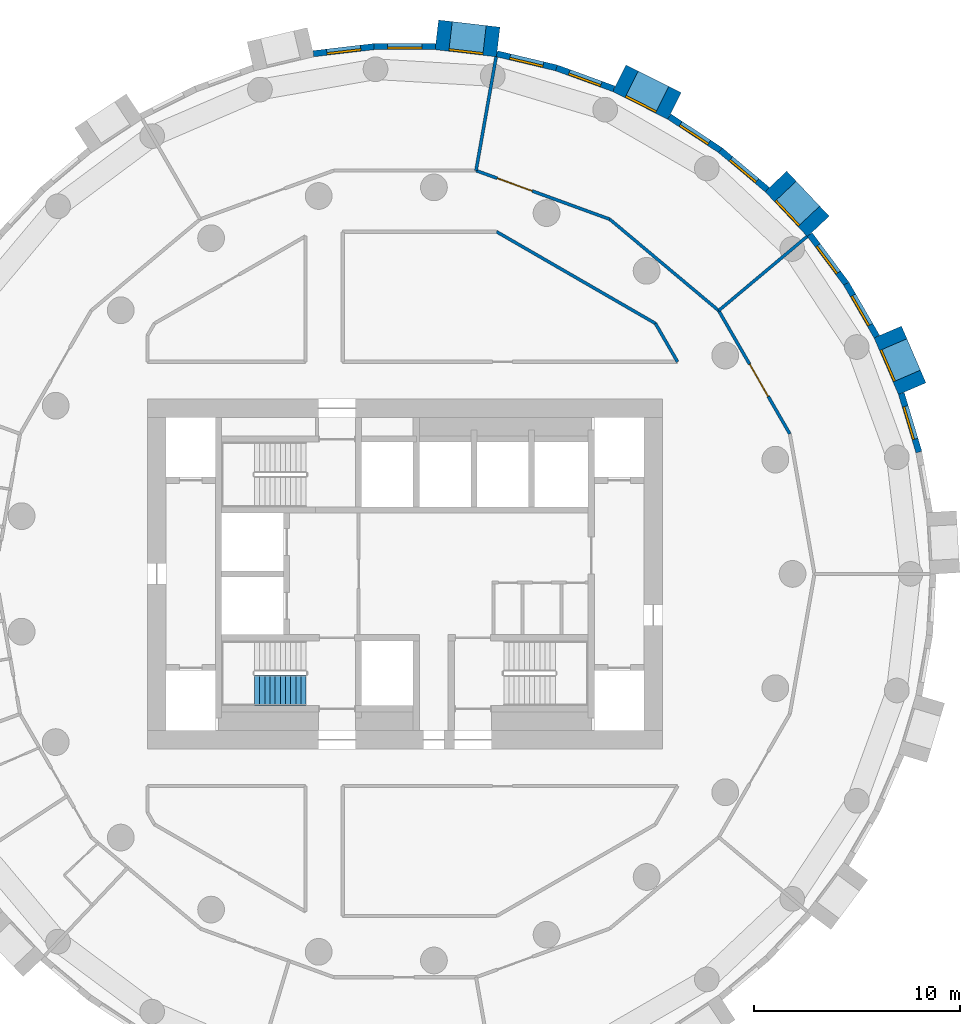
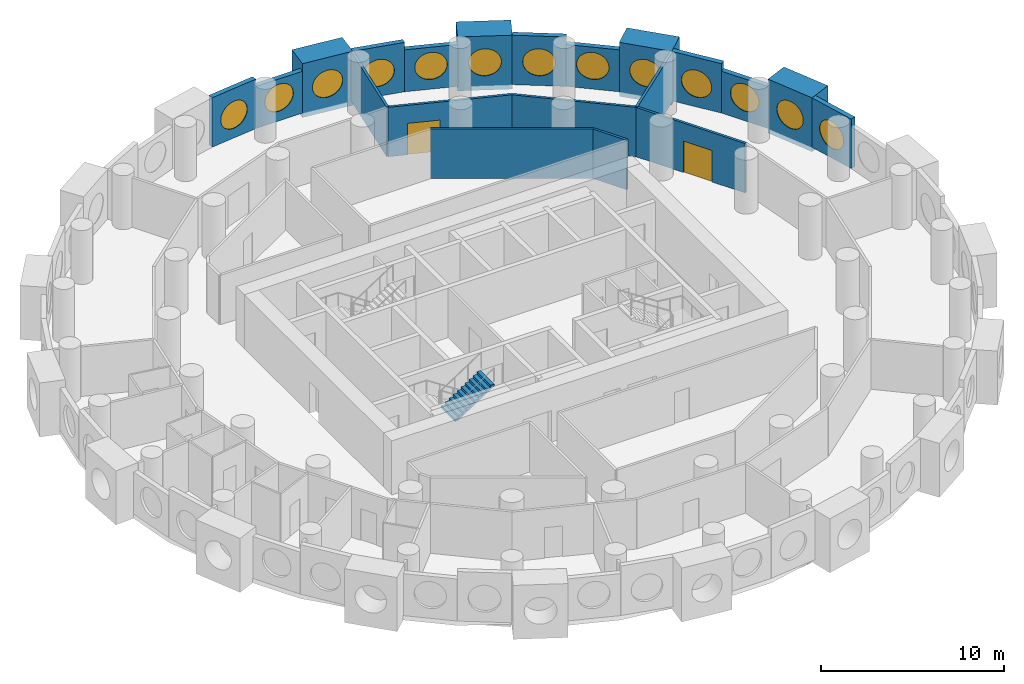
# One storey, part 7 of 9: 20 walls, 13 windows, 2 doors, 1 stair flight, 15 openings, 1 element without a shape of its own.
"""IFC4 building model written with IfcOpenShell, lengths in metres."""

from ifc_helpers import new_model, si_unit, direction, frame, frame_2d, origin, origin_2d, place, context, subcontext, project, spatial, polyline, rectangle, circle, outline, extrude, material, layer, layer_set, type_object, element, fill, aggregate, save


model = new_model("IFC4")

# Units and contexts
model_context = context("Model", 3, precision=1e-05, world=origin(), true_north=direction((0.0, 1.0)))
body_context = subcontext(model_context, "Body", "Model", "MODEL_VIEW")
ifc_project = project(units=[si_unit("LENGTHUNIT", "METRE"), si_unit("AREAUNIT", "SQUARE_METRE"), si_unit("VOLUMEUNIT", "CUBIC_METRE"), si_unit("PLANEANGLEUNIT", "RADIAN"), si_unit("MASSUNIT", "GRAM", prefix="KILO")], contexts=[model_context])

# Site, building, storey
site_placement = place(None, origin())
site = spatial("IfcSite", under=ifc_project, at=site_placement, CompositionType="ELEMENT")
building_placement = place(site_placement, origin())
building = spatial("IfcBuilding", under=site, at=building_placement, Name="Tracery Tower", CompositionType="ELEMENT")
storey_placement = place(building_placement, frame((0.0, 0.0, 208.800048828125)))
storey = spatial("IfcBuildingStorey", under=building, at=storey_placement, Name="L54", CompositionType="ELEMENT", Elevation=208.800048828125)

# Wall, opening, window
ifc_material_1 = material(Name="Precast concrete C50/60", Category="concrete")
ifc_layer_1 = layer(ifc_material_1, 1.449951171875)
ifc_layer_set_1 = layer_set([ifc_layer_1], Name="Deep-set bay unit 3000 x 3600, slab edge 300")
wall_type_1 = type_object("IfcWallType", Name="Deep-set bay unit 3000 x 3600, slab edge 300", PredefinedType="ELEMENTEDWALL", material=ifc_layer_set_1)
wall_1_placement = place(storey_placement, frame((24.632080078125, 8.99169921875, -0.300048828125), z_axis=(0.0, 0.0, 1.0), x_axis=(-0.396079003245, 0.918216435917, 0.0)))
wall_1 = element("IfcWall", 1, at=wall_1_placement, inside=storey, type_object=wall_type_1, Name="Deep-set bay unit 4 at L54", PredefinedType="ELEMENTEDWALL", context=body_context, shape_type="SweptSolid", body=[
    extrude(rectangle(XDim=3.0, YDim=1.449951171875, at=frame_2d((1.5, 0.0))), origin(), (0.0, 0.0, 1.0), 3.60009765625),
])
opening_1_placement = place(wall_1_placement, frame((1.5, 0.0, 1.85009765625)))
opening_1 = element("IfcOpeningElement", 2, at=opening_1_placement, cuts=wall_1, Name="Opening WN1", PredefinedType="OPENING", context=body_context, shape_type="SweptSolid", body=[
    extrude(circle(Radius=0.9000244140625, at=origin_2d()), frame((0.0, 0.73486328125, 0.0), z_axis=(0.0, -1.0, 0.0), x_axis=(1.0, 0.0, 0.0)), (0.0, 0.0, 1.0), 1.469970703125),
])
ifc_material_2 = material(Name="Aluminium frame with tinted double glazing", Category="aluminium")
window_type = type_object("IfcWindowType", Name="Round window 1800", PartitioningType="SINGLE_PANEL", PredefinedType="WINDOW", material=ifc_material_2)
window_1_placement = place(opening_1_placement, origin())
window_1 = element("IfcWindow", 3, at=window_1_placement, inside=storey, type_object=window_type, Name="Round window 4 at L54", OverallHeight=1.800048828125, OverallWidth=1.800048828125, PartitioningType="SINGLE_PANEL", PredefinedType="WINDOW", context=body_context, shape_type="SweptSolid", body=[
    extrude(circle(Radius=0.9000244140625, at=origin_2d()), frame((0.0, 0.69482421875, 0.0), z_axis=(0.0, -1.0, 0.0), x_axis=(1.0, 0.0, 0.0)), (0.0, 0.0, 1.0), 0.10009765625),
])
fill(opening_1, window_1)

wall_2_placement = place(storey_placement, frame((20.0712890625, 16.8740234375, -0.300048828125), z_axis=(0.0, 0.0, 1.0), x_axis=(-0.686217177108, 0.727396718334, 0.0)))
wall_2 = element("IfcWall", 4, at=wall_2_placement, inside=storey, type_object=wall_type_1, Name="Deep-set bay unit 7 at L54", PredefinedType="ELEMENTEDWALL", context=body_context, shape_type="SweptSolid", body=[
    extrude(rectangle(XDim=3.0, YDim=1.449951171875, at=frame_2d((1.5, 0.0))), origin(), (0.0, 0.0, 1.0), 3.60009765625),
])
opening_2_placement = place(wall_2_placement, frame((1.5, 0.0, 1.85009765625)))
opening_2 = element("IfcOpeningElement", 5, at=opening_2_placement, cuts=wall_2, Name="Opening WN1", PredefinedType="OPENING", context=body_context, shape_type="SweptSolid", body=[
    extrude(circle(Radius=0.9000244140625, at=origin_2d()), frame((0.0, 0.73486328125, 0.0), z_axis=(0.0, -1.0, 0.0), x_axis=(1.0, 0.0, 0.0)), (0.0, 0.0, 1.0), 1.469970703125),
])
window_2_placement = place(opening_2_placement, origin())
window_2 = element("IfcWindow", 6, at=window_2_placement, inside=storey, type_object=window_type, Name="Round window 7 at L54", OverallHeight=1.800048828125, OverallWidth=1.800048828125, PartitioningType="SINGLE_PANEL", PredefinedType="WINDOW", context=body_context, shape_type="SweptSolid", body=[
    extrude(circle(Radius=0.9000244140625, at=origin_2d()), frame((0.0, 0.69482421875, 0.0), z_axis=(0.0, -1.0, 0.0), x_axis=(1.0, 0.0, 0.0)), (0.0, 0.0, 1.0), 0.10009765625),
])
fill(opening_2, window_2)

wall_3_placement = place(storey_placement, frame((13.089599609375, 22.72119140625, -0.300048828125), z_axis=(0.0, 0.0, 1.0), x_axis=(-0.893628249713, 0.448807922518, 0.0)))
wall_3 = element("IfcWall", 7, at=wall_3_placement, inside=storey, type_object=wall_type_1, Name="Deep-set bay unit 10 at L54", PredefinedType="ELEMENTEDWALL", context=body_context, shape_type="SweptSolid", body=[
    extrude(rectangle(XDim=3.0, YDim=1.449951171875, at=frame_2d((1.5, 0.0))), origin(), (0.0, 0.0, 1.0), 3.60009765625),
])
opening_3_placement = place(wall_3_placement, frame((1.5, 0.0, 1.85009765625)))
opening_3 = element("IfcOpeningElement", 8, at=opening_3_placement, cuts=wall_3, Name="Opening WN1", PredefinedType="OPENING", context=body_context, shape_type="SweptSolid", body=[
    extrude(circle(Radius=0.9000244140625, at=origin_2d()), frame((0.0, 0.73486328125, 0.0), z_axis=(0.0, -1.0, 0.0), x_axis=(1.0, 0.0, 0.0)), (0.0, 0.0, 1.0), 1.469970703125),
])
window_3_placement = place(opening_3_placement, origin())
window_3 = element("IfcWindow", 9, at=window_3_placement, inside=storey, type_object=window_type, Name="Round window 10 at L54", OverallHeight=1.800048828125, OverallWidth=1.800048828125, PartitioningType="SINGLE_PANEL", PredefinedType="WINDOW", context=body_context, shape_type="SweptSolid", body=[
    extrude(circle(Radius=0.9000244140625, at=origin_2d()), frame((0.0, 0.69482421875, 0.0), z_axis=(0.0, -1.0, 0.0), x_axis=(1.0, 0.0, 0.0)), (0.0, 0.0, 1.0), 0.10009765625),
])
fill(opening_3, window_3)

wall_4_placement = place(storey_placement, frame((4.529052734375, 25.827880859375, -0.300048828125), z_axis=(0.0, 0.0, 1.0), x_axis=(-0.9932342274, 0.116128246006, 0.0)))
wall_4 = element("IfcWall", 10, at=wall_4_placement, inside=storey, type_object=wall_type_1, Name="Deep-set bay unit 13 at L54", PredefinedType="ELEMENTEDWALL", context=body_context, shape_type="SweptSolid", body=[
    extrude(rectangle(XDim=3.0, YDim=1.449951171875, at=frame_2d((1.5, 0.0))), origin(), (0.0, 0.0, 1.0), 3.60009765625),
])
opening_4_placement = place(wall_4_placement, frame((1.5, 0.0, 1.85009765625)))
opening_4 = element("IfcOpeningElement", 11, at=opening_4_placement, cuts=wall_4, Name="Opening WN1", PredefinedType="OPENING", context=body_context, shape_type="SweptSolid", body=[
    extrude(circle(Radius=0.9000244140625, at=origin_2d()), frame((0.0, 0.73486328125, 0.0), z_axis=(0.0, -1.0, 0.0), x_axis=(1.0, 0.0, 0.0)), (0.0, 0.0, 1.0), 1.469970703125),
])
window_4_placement = place(opening_4_placement, origin())
window_4 = element("IfcWindow", 12, at=window_4_placement, inside=storey, type_object=window_type, Name="Round window 13 at L54", OverallHeight=1.800048828125, OverallWidth=1.800048828125, PartitioningType="SINGLE_PANEL", PredefinedType="WINDOW", context=body_context, shape_type="SweptSolid", body=[
    extrude(circle(Radius=0.9000244140625, at=origin_2d()), frame((0.0, 0.69482421875, 0.0), z_axis=(0.0, -1.0, 0.0), x_axis=(1.0, 0.0, 0.0)), (0.0, 0.0, 1.0), 0.10009765625),
])
fill(opening_4, window_4)

ifc_material_3 = material(Name="Precast concrete C50/60", Category="concrete")
ifc_layer_2 = layer(ifc_material_3, 0.300048828125)
ifc_layer_set_2 = layer_set([ifc_layer_2], Name="Facade panel 3000 x 2800")
wall_type_2 = type_object("IfcWallType", Name="Facade panel 3000 x 2800", PredefinedType="SOLIDWALL", material=ifc_layer_set_2)
wall_5_placement = place(storey_placement, frame((22.91455078125, 11.518798828125, 0.0), z_axis=(0.0, 0.0, 1.0), x_axis=(-0.499954672104, 0.866051572276, 0.0)))
wall_5 = element("IfcWall", 13, at=wall_5_placement, inside=storey, type_object=wall_type_2, Name="Facade panel 5 at L54", PredefinedType="SOLIDWALL", context=body_context, shape_type="SweptSolid", body=[
    extrude(rectangle(XDim=2.972900390625, YDim=0.300048828125, at=frame_2d((1.486328125, 0.0))), origin(), (0.0, 0.0, 1.0), 2.800048828125),
])
opening_5_placement = place(wall_5_placement, frame((1.486328125, 0.0, 1.5498046875)))
opening_5 = element("IfcOpeningElement", 14, at=opening_5_placement, cuts=wall_5, Name="Opening WN1", PredefinedType="OPENING", context=body_context, shape_type="SweptSolid", body=[
    extrude(circle(Radius=0.9000244140625, at=origin_2d()), frame((0.0, 0.159912109375, 0.0), z_axis=(0.0, -1.0, 0.0), x_axis=(1.0, 0.0, 0.0)), (0.0, 0.0, 1.0), 0.320068359375),
])
window_5_placement = place(opening_5_placement, origin())
window_5 = element("IfcWindow", 15, at=window_5_placement, inside=storey, type_object=window_type, Name="Round window 5 at L54", OverallHeight=1.800048828125, OverallWidth=1.800048828125, PartitioningType="SINGLE_PANEL", PredefinedType="WINDOW", context=body_context, shape_type="SweptSolid", body=[
    extrude(circle(Radius=0.9000244140625, at=origin_2d()), frame((0.0, 0.1201171875, 0.0), z_axis=(0.0, -1.0, 0.0), x_axis=(1.0, 0.0, 0.0)), (0.0, 0.0, 1.0), 0.10009765625),
])
fill(opening_5, window_5)

wall_6_placement = place(storey_placement, frame((17.593017578125, 18.661376953125, 0.0), z_axis=(0.0, 0.0, 1.0), x_axis=(-0.766008913364, 0.642829950023, 0.0)))
wall_6 = element("IfcWall", 16, at=wall_6_placement, inside=storey, type_object=wall_type_2, Name="Facade panel 8 at L54", PredefinedType="SOLIDWALL", context=body_context, shape_type="SweptSolid", body=[
    extrude(rectangle(XDim=2.972900390625, YDim=0.300048828125, at=frame_2d((1.486328125, 0.0))), origin(), (0.0, 0.0, 1.0), 2.800048828125),
])
opening_6_placement = place(wall_6_placement, frame((1.486328125, 0.0, 1.5498046875)))
opening_6 = element("IfcOpeningElement", 17, at=opening_6_placement, cuts=wall_6, Name="Opening WN1", PredefinedType="OPENING", context=body_context, shape_type="SweptSolid", body=[
    extrude(circle(Radius=0.9000244140625, at=origin_2d()), frame((0.0, 0.159912109375, 0.0), z_axis=(0.0, -1.0, 0.0), x_axis=(1.0, 0.0, 0.0)), (0.0, 0.0, 1.0), 0.320068359375),
])
window_6_placement = place(opening_6_placement, origin())
window_6 = element("IfcWindow", 18, at=window_6_placement, inside=storey, type_object=window_type, Name="Round window 8 at L54", OverallHeight=1.800048828125, OverallWidth=1.800048828125, PartitioningType="SINGLE_PANEL", PredefinedType="WINDOW", context=body_context, shape_type="SweptSolid", body=[
    extrude(circle(Radius=0.9000244140625, at=origin_2d()), frame((0.0, 0.1201171875, 0.0), z_axis=(0.0, -1.0, 0.0), x_axis=(1.0, 0.0, 0.0)), (0.0, 0.0, 1.0), 0.10009765625),
])
fill(opening_6, window_6)

wall_7_placement = place(storey_placement, frame((10.1494140625, 23.55322265625, 0.0), z_axis=(0.0, 0.0, 1.0), x_axis=(-0.939690282133, 0.342026568652, 0.0)))
wall_7 = element("IfcWall", 19, at=wall_7_placement, inside=storey, type_object=wall_type_2, Name="Facade panel 11 at L54", PredefinedType="SOLIDWALL", context=body_context, shape_type="SweptSolid", body=[
    extrude(rectangle(XDim=2.972900390625, YDim=0.300048828125, at=frame_2d((1.486328125, 0.0))), origin(), (0.0, 0.0, 1.0), 2.800048828125),
])
opening_7_placement = place(wall_7_placement, frame((1.486328125, 0.0, 1.5498046875)))
opening_7 = element("IfcOpeningElement", 20, at=opening_7_placement, cuts=wall_7, Name="Opening WN1", PredefinedType="OPENING", context=body_context, shape_type="SweptSolid", body=[
    extrude(circle(Radius=0.9000244140625, at=origin_2d()), frame((0.0, 0.159912109375, 0.0), z_axis=(0.0, -1.0, 0.0), x_axis=(1.0, 0.0, 0.0)), (0.0, 0.0, 1.0), 0.320068359375),
])
window_7_placement = place(opening_7_placement, origin())
window_7 = element("IfcWindow", 21, at=window_7_placement, inside=storey, type_object=window_type, Name="Round window 11 at L54", OverallHeight=1.800048828125, OverallWidth=1.800048828125, PartitioningType="SINGLE_PANEL", PredefinedType="WINDOW", context=body_context, shape_type="SweptSolid", body=[
    extrude(circle(Radius=0.9000244140625, at=origin_2d()), frame((0.0, 0.1201171875, 0.0), z_axis=(0.0, -1.0, 0.0), x_axis=(1.0, 0.0, 0.0)), (0.0, 0.0, 1.0), 0.10009765625),
])
fill(opening_7, window_7)

wall_8_placement = place(storey_placement, frame((1.481689453125, 25.60400390625, 0.0), z_axis=(0.0, 0.0, 1.0), x_axis=(-1.0, 0.0, 0.0)))
wall_8 = element("IfcWall", 22, at=wall_8_placement, inside=storey, type_object=wall_type_2, Name="Facade panel 14 at L54", PredefinedType="SOLIDWALL", context=body_context, shape_type="SweptSolid", body=[
    extrude(rectangle(XDim=2.972900390625, YDim=0.300048828125, at=frame_2d((1.486328125, 0.0))), origin(), (0.0, 0.0, 1.0), 2.800048828125),
])
opening_8_placement = place(wall_8_placement, frame((1.486328125, 0.0, 1.5498046875)))
opening_8 = element("IfcOpeningElement", 23, at=opening_8_placement, cuts=wall_8, Name="Opening WN1", PredefinedType="OPENING", context=body_context, shape_type="SweptSolid", body=[
    extrude(circle(Radius=0.9000244140625, at=origin_2d()), frame((0.0, 0.159912109375, 0.0), z_axis=(0.0, -1.0, 0.0), x_axis=(1.0, 0.0, 0.0)), (0.0, 0.0, 1.0), 0.320068359375),
])
window_8_placement = place(opening_8_placement, origin())
window_8 = element("IfcWindow", 24, at=window_8_placement, inside=storey, type_object=window_type, Name="Round window 14 at L54", OverallHeight=1.800048828125, OverallWidth=1.800048828125, PartitioningType="SINGLE_PANEL", PredefinedType="WINDOW", context=body_context, shape_type="SweptSolid", body=[
    extrude(circle(Radius=0.9000244140625, at=origin_2d()), frame((0.0, 0.1201171875, 0.0), z_axis=(0.0, -1.0, 0.0), x_axis=(1.0, 0.0, 0.0)), (0.0, 0.0, 1.0), 0.10009765625),
])
fill(opening_8, window_8)

ifc_material_4 = material(Name="Precast concrete C50/60", Category="concrete")
ifc_layer_3 = layer(ifc_material_4, 0.300048828125)
ifc_layer_set_3 = layer_set([ifc_layer_3], Name="Facade panel 3000 x 3300")
wall_type_3 = type_object("IfcWallType", Name="Facade panel 3000 x 3300", PredefinedType="SOLIDWALL", material=ifc_layer_set_3)
wall_9_placement = place(storey_placement, frame((24.9560546875, 5.914794921875, 0.0), z_axis=(0.0, 0.0, 1.0), x_axis=(-0.286782750849, 0.957995643944, 0.0)))
wall_9 = element("IfcWall", 25, at=wall_9_placement, inside=storey, type_object=wall_type_3, Name="Facade panel 3 at L54", PredefinedType="SOLIDWALL", context=body_context, shape_type="SweptSolid", body=[
    extrude(rectangle(XDim=2.97265625, YDim=0.300048828125, at=frame_2d((1.486328125, 0.0))), origin(), (0.0, 0.0, 1.0), 3.300048828125),
])
opening_9_placement = place(wall_9_placement, frame((1.486328125, 0.0, 1.5498046875)))
opening_9 = element("IfcOpeningElement", 26, at=opening_9_placement, cuts=wall_9, Name="Opening WN1", PredefinedType="OPENING", context=body_context, shape_type="SweptSolid", body=[
    extrude(circle(Radius=0.9000244140625, at=origin_2d()), frame((0.0, 0.159912109375, 0.0), z_axis=(0.0, -1.0, 0.0), x_axis=(1.0, 0.0, 0.0)), (0.0, 0.0, 1.0), 0.320068359375),
])
window_9_placement = place(opening_9_placement, origin())
window_9 = element("IfcWindow", 27, at=window_9_placement, inside=storey, type_object=window_type, Name="Round window 3 at L54", OverallHeight=1.800048828125, OverallWidth=1.800048828125, PartitioningType="SINGLE_PANEL", PredefinedType="WINDOW", context=body_context, shape_type="SweptSolid", body=[
    extrude(circle(Radius=0.9000244140625, at=origin_2d()), frame((0.0, 0.1201171875, 0.0), z_axis=(0.0, -1.0, 0.0), x_axis=(1.0, 0.0, 0.0)), (0.0, 0.0, 1.0), 0.10009765625),
])
fill(opening_9, window_9)

wall_10_placement = place(storey_placement, frame((21.42822265625, 14.093505859375, 0.0), z_axis=(0.0, 0.0, 1.0), x_axis=(-0.597197580538, 0.80209416517, 0.0)))
wall_10 = element("IfcWall", 28, at=wall_10_placement, inside=storey, type_object=wall_type_3, Name="Facade panel 6 at L54", PredefinedType="SOLIDWALL", context=body_context, shape_type="SweptSolid", body=[
    extrude(rectangle(XDim=2.972900390625, YDim=0.300048828125, at=frame_2d((1.486328125, 0.0))), origin(), (0.0, 0.0, 1.0), 3.300048828125),
])
opening_10_placement = place(wall_10_placement, frame((1.486328125, 0.0, 1.5498046875)))
opening_10 = element("IfcOpeningElement", 29, at=opening_10_placement, cuts=wall_10, Name="Opening WN1", PredefinedType="OPENING", context=body_context, shape_type="SweptSolid", body=[
    extrude(circle(Radius=0.9000244140625, at=origin_2d()), frame((0.0, 0.159912109375, 0.0), z_axis=(0.0, -1.0, 0.0), x_axis=(1.0, 0.0, 0.0)), (0.0, 0.0, 1.0), 0.320068359375),
])
window_10_placement = place(opening_10_placement, origin())
window_10 = element("IfcWindow", 30, at=window_10_placement, inside=storey, type_object=window_type, Name="Round window 6 at L54", OverallHeight=1.800048828125, OverallWidth=1.800048828125, PartitioningType="SINGLE_PANEL", PredefinedType="WINDOW", context=body_context, shape_type="SweptSolid", body=[
    extrude(circle(Radius=0.9000244140625, at=origin_2d()), frame((0.0, 0.1201171875, 0.0), z_axis=(0.0, -1.0, 0.0), x_axis=(1.0, 0.0, 0.0)), (0.0, 0.0, 1.0), 0.10009765625),
])
fill(opening_10, window_10)

wall_11_placement = place(storey_placement, frame((15.315673828125, 20.572509765625, 0.0), z_axis=(0.0, 0.0, 1.0), x_axis=(-0.835508361394, 0.54947773207, 0.0)))
wall_11 = element("IfcWall", 31, at=wall_11_placement, inside=storey, type_object=wall_type_3, Name="Facade panel 9 at L54", PredefinedType="SOLIDWALL", context=body_context, shape_type="SweptSolid", body=[
    extrude(rectangle(XDim=2.972900390625, YDim=0.300048828125, at=frame_2d((1.486328125, 0.0))), origin(), (0.0, 0.0, 1.0), 3.300048828125),
])
opening_11_placement = place(wall_11_placement, frame((1.486328125, 0.0, 1.5498046875)))
opening_11 = element("IfcOpeningElement", 32, at=opening_11_placement, cuts=wall_11, Name="Opening WN1", PredefinedType="OPENING", context=body_context, shape_type="SweptSolid", body=[
    extrude(circle(Radius=0.9000244140625, at=origin_2d()), frame((0.0, 0.159912109375, 0.0), z_axis=(0.0, -1.0, 0.0), x_axis=(1.0, 0.0, 0.0)), (0.0, 0.0, 1.0), 0.320068359375),
])
window_11_placement = place(opening_11_placement, origin())
window_11 = element("IfcWindow", 33, at=window_11_placement, inside=storey, type_object=window_type, Name="Round window 9 at L54", OverallHeight=1.800048828125, OverallWidth=1.800048828125, PartitioningType="SINGLE_PANEL", PredefinedType="WINDOW", context=body_context, shape_type="SweptSolid", body=[
    extrude(circle(Radius=0.9000244140625, at=origin_2d()), frame((0.0, 0.1201171875, 0.0), z_axis=(0.0, -1.0, 0.0), x_axis=(1.0, 0.0, 0.0)), (0.0, 0.0, 1.0), 0.10009765625),
])
fill(opening_11, window_11)

wall_12_placement = place(storey_placement, frame((7.355712890625, 24.570068359375, 0.0), z_axis=(0.0, 0.0, 1.0), x_axis=(-0.973045378923, 0.230613725862, 0.0)))
wall_12 = element("IfcWall", 34, at=wall_12_placement, inside=storey, type_object=wall_type_3, Name="Facade panel 12 at L54", PredefinedType="SOLIDWALL", context=body_context, shape_type="SweptSolid", body=[
    extrude(rectangle(XDim=2.97265625, YDim=0.300048828125, at=frame_2d((1.486328125, 0.0))), origin(), (0.0, 0.0, 1.0), 3.300048828125),
])
opening_12_placement = place(wall_12_placement, frame((1.486328125, 0.0, 1.5498046875)))
opening_12 = element("IfcOpeningElement", 35, at=opening_12_placement, cuts=wall_12, Name="Opening WN1", PredefinedType="OPENING", context=body_context, shape_type="SweptSolid", body=[
    extrude(circle(Radius=0.9000244140625, at=origin_2d()), frame((0.0, 0.159912109375, 0.0), z_axis=(0.0, -1.0, 0.0), x_axis=(1.0, 0.0, 0.0)), (0.0, 0.0, 1.0), 0.320068359375),
])
window_12_placement = place(opening_12_placement, origin())
window_12 = element("IfcWindow", 36, at=window_12_placement, inside=storey, type_object=window_type, Name="Round window 12 at L54", OverallHeight=1.800048828125, OverallWidth=1.800048828125, PartitioningType="SINGLE_PANEL", PredefinedType="WINDOW", context=body_context, shape_type="SweptSolid", body=[
    extrude(circle(Radius=0.9000244140625, at=origin_2d()), frame((0.0, 0.1201171875, 0.0), z_axis=(0.0, -1.0, 0.0), x_axis=(1.0, 0.0, 0.0)), (0.0, 0.0, 1.0), 0.10009765625),
])
fill(opening_12, window_12)

wall_13_placement = place(storey_placement, frame((-1.4912109375, 25.60400390625, 0.0), z_axis=(0.0, 0.0, 1.0), x_axis=(-0.993245010522, -0.1160359818, 0.0)))
wall_13 = element("IfcWall", 37, at=wall_13_placement, inside=storey, type_object=wall_type_3, Name="Facade panel 15 at L54", PredefinedType="SOLIDWALL", context=body_context, shape_type="SweptSolid", body=[
    extrude(rectangle(XDim=2.972900390625, YDim=0.300048828125, at=frame_2d((1.486328125, 0.0))), origin(), (0.0, 0.0, 1.0), 3.300048828125),
])
opening_13_placement = place(wall_13_placement, frame((1.486328125, 0.0, 1.5498046875)))
opening_13 = element("IfcOpeningElement", 38, at=opening_13_placement, cuts=wall_13, Name="Opening WN1", PredefinedType="OPENING", context=body_context, shape_type="SweptSolid", body=[
    extrude(circle(Radius=0.9000244140625, at=origin_2d()), frame((0.0, 0.159912109375, 0.0), z_axis=(0.0, -1.0, 0.0), x_axis=(1.0, 0.0, 0.0)), (0.0, 0.0, 1.0), 0.320068359375),
])
window_13_placement = place(opening_13_placement, origin())
window_13 = element("IfcWindow", 39, at=window_13_placement, inside=storey, type_object=window_type, Name="Round window 15 at L54", OverallHeight=1.800048828125, OverallWidth=1.800048828125, PartitioningType="SINGLE_PANEL", PredefinedType="WINDOW", context=body_context, shape_type="SweptSolid", body=[
    extrude(circle(Radius=0.9000244140625, at=origin_2d()), frame((0.0, 0.1201171875, 0.0), z_axis=(0.0, -1.0, 0.0), x_axis=(1.0, 0.0, 0.0)), (0.0, 0.0, 1.0), 0.10009765625),
])
fill(opening_13, window_13)

# Walls
ifc_material_5 = material(Name="Plasterboard on steel studs", Category="steel")
ifc_layer_4 = layer(ifc_material_5, 0.14990234375)
ifc_layer_set_4 = layer_set([ifc_layer_4], Name="Partition 150 acoustic unit wall")
wall_type_4 = type_object("IfcWallType", Name="Partition 150 acoustic unit wall", PredefinedType="PARTITIONING", material=ifc_layer_set_4)
wall_14_placement = place(storey_placement, frame((15.235107421875, 12.783935546875, 0.0), z_axis=(0.0, 0.0, 1.0), x_axis=(0.76609059793, 0.642732600514, 0.0)))
element("IfcWall", 40, at=wall_14_placement, inside=storey, type_object=wall_type_4, Name="Unit wall RB8-040", PredefinedType="PARTITIONING", context=body_context, shape_type="SweptSolid", body=[
    extrude(rectangle(XDim=5.60888671875, YDim=0.14990234375, at=frame_2d((2.804443359375, 0.0))), origin(), (0.0, 0.0, 1.0), 3.300048828125),
])
wall_15_placement = place(storey_placement, frame((3.452880859375, 19.5859375, 0.0), z_axis=(0.0, 0.0, 1.0), x_axis=(0.17382754149, 0.984776109489, 0.0)))
element("IfcWall", 41, at=wall_15_placement, inside=storey, type_object=wall_type_4, Name="Unit wall RB8-042", PredefinedType="PARTITIONING", context=body_context, shape_type="SweptSolid", body=[
    extrude(rectangle(XDim=5.609619140625, YDim=0.14990234375, at=frame_2d((2.8046875, 0.0))), origin(), (0.0, 0.0, 1.0), 3.300048828125),
])
ifc_material_6 = material(Name="Plasterboard on steel studs", Category="steel")
ifc_layer_5 = layer(ifc_material_6, 0.14990234375)
ifc_layer_set_5 = layer_set([ifc_layer_5], Name="Partition 150 corridor wall")
wall_type_5 = type_object("IfcWallType", Name="Partition 150 corridor wall", PredefinedType="PARTITIONING", material=ifc_layer_set_5)
wall_16_placement = place(storey_placement, frame((12.162109375, 12.162109375, 0.0), z_axis=(0.0, 0.0, 1.0), x_axis=(0.499961633463, -0.866047553582, 0.0)))
element("IfcWall", 42, at=wall_16_placement, inside=storey, type_object=wall_type_5, Name="Corridor wall RB8-005", PredefinedType="PARTITIONING", context=body_context, shape_type="SweptSolid", body=[
    extrude(rectangle(XDim=2.150146484375, YDim=0.14990234375, at=frame_2d((1.0751953125, 0.0))), origin(), (0.0, 0.0, 1.0), 3.300048828125),
])

# Wall, opening, door
wall_17_placement = place(storey_placement, frame((15.235107421875, 12.783935546875, 0.0), z_axis=(0.0, 0.0, 1.0), x_axis=(0.499914202267, -0.866074933462, 0.0)))
wall_17 = element("IfcWall", 43, at=wall_17_placement, inside=storey, type_object=wall_type_5, Name="Corridor wall RB8-007", PredefinedType="PARTITIONING", context=body_context, shape_type="SweptSolid", body=[
    extrude(rectangle(XDim=6.906982421875, YDim=0.14990234375, at=frame_2d((3.45361328125, 0.0))), origin(), (0.0, 0.0, 1.0), 3.300048828125),
])
opening_14_placement = place(wall_17_placement, frame((3.00390625, 0.0, 0.0)))
opening_14 = element("IfcOpeningElement", 44, at=opening_14_placement, cuts=wall_17, Name="Opening RB8-05", PredefinedType="OPENING", context=body_context, shape_type="SweptSolid", body=[
    extrude(rectangle(XDim=1.800048828125, YDim=2.10009765625, at=frame_2d((0.89990234375, 1.050048828125))), frame((0.0, 0.074951171875, 0.0), z_axis=(0.0, -1.0, 0.0), x_axis=(1.0, 0.0, 0.0)), (0.0, 0.0, 1.0), 0.14990234375),
])
ifc_material_7 = material(Name="Timber door leaf", Category="wood")
door_type = type_object("IfcDoorType", Name="Door double lounge 1800", OperationType="NOTDEFINED", PredefinedType="DOOR", material=ifc_material_7)
door_1_placement = place(opening_14_placement, origin())
door_1 = element("IfcDoor", 45, at=door_1_placement, inside=storey, type_object=door_type, Name="Double lounge door RB8-05", OperationType="DOUBLE_DOOR_SINGLE_SWING", OverallHeight=2.10009765625, OverallWidth=1.800048828125, PredefinedType="DOOR", context=body_context, shape_type="SweptSolid", body=[
    extrude(rectangle(XDim=1.800048828125, YDim=2.10009765625, at=frame_2d((0.89990234375, 1.050048828125))), frame((0.0, 0.02490234375, 0.0), z_axis=(0.0, -1.0, 0.0), x_axis=(1.0, 0.0, 0.0)), (0.0, 0.0, 1.0), 0.050048828125),
])
fill(opening_14, door_1)

# Walls
wall_18_placement = place(storey_placement, frame((9.943359375, 17.22216796875, 0.0), z_axis=(0.0, 0.0, 1.0), x_axis=(0.766192104565, -0.642611592567, 0.0)))
element("IfcWall", 46, at=wall_18_placement, inside=storey, type_object=wall_type_5, Name="Corridor wall RB8-009", PredefinedType="PARTITIONING", context=body_context, shape_type="SweptSolid", body=[
    extrude(rectangle(XDim=6.906494140625, YDim=0.14990234375, at=frame_2d((3.453125, 0.0))), origin(), (0.0, 0.0, 1.0), 3.300048828125),
])
wall_19_placement = place(storey_placement, frame((4.451904296875, 16.614013671875, 0.0), z_axis=(0.0, 0.0, 1.0), x_axis=(0.866005203721, -0.500034985904, 0.0)))
element("IfcWall", 47, at=wall_19_placement, inside=storey, type_object=wall_type_5, Name="Corridor wall RB8-015", PredefinedType="PARTITIONING", context=body_context, shape_type="SweptSolid", body=[
    extrude(rectangle(XDim=8.903076171875, YDim=0.14990234375, at=frame_2d((4.45166015625, 0.0))), origin(), (0.0, 0.0, 1.0), 3.300048828125),
])

# Wall, opening, door
wall_20_placement = place(storey_placement, frame((3.452880859375, 19.5859375, 0.0), z_axis=(0.0, 0.0, 1.0), x_axis=(0.939672634566, -0.342075050021, 0.0)))
wall_20 = element("IfcWall", 48, at=wall_20_placement, inside=storey, type_object=wall_type_5, Name="Corridor wall RB8-018", PredefinedType="PARTITIONING", context=body_context, shape_type="SweptSolid", body=[
    extrude(rectangle(XDim=6.907958984375, YDim=0.14990234375, at=frame_2d((3.4541015625, 0.0))), origin(), (0.0, 0.0, 1.0), 3.300048828125),
])
opening_15_placement = place(wall_20_placement, frame((1.10400390625, 0.0, 0.0)))
opening_15 = element("IfcOpeningElement", 49, at=opening_15_placement, cuts=wall_20, Name="Opening RB8-06", PredefinedType="OPENING", context=body_context, shape_type="SweptSolid", body=[
    extrude(rectangle(XDim=1.800048828125, YDim=2.10009765625, at=frame_2d((0.89990234375, 1.050048828125))), frame((0.0, 0.074951171875, 0.0), z_axis=(0.0, -1.0, 0.0), x_axis=(1.0, 0.0, 0.0)), (0.0, 0.0, 1.0), 0.14990234375),
])
door_2_placement = place(opening_15_placement, origin())
door_2 = element("IfcDoor", 50, at=door_2_placement, inside=storey, type_object=door_type, Name="Double lounge door RB8-06", OperationType="DOUBLE_DOOR_SINGLE_SWING", OverallHeight=2.10009765625, OverallWidth=1.800048828125, PredefinedType="DOOR", context=body_context, shape_type="SweptSolid", body=[
    extrude(rectangle(XDim=1.800048828125, YDim=2.10009765625, at=frame_2d((0.89990234375, 1.050048828125))), frame((0.0, 0.02490234375, 0.0), z_axis=(0.0, -1.0, 0.0), x_axis=(1.0, 0.0, 0.0)), (0.0, 0.0, 1.0), 0.050048828125),
])
fill(opening_15, door_2)

# Stair, stair flight
ifc_material_8 = material(Name="Concrete C32/40", Category="concrete")
stair_type = type_object("IfcStairType", Name="Core stair 22 risers", PredefinedType="HALF_TURN_STAIR", material=ifc_material_8)
stair_placement = place(storey_placement, origin())
stair = element("IfcStair", 51, at=stair_placement, inside=storey, type_object=stair_type, Name="L54 stair ST1", PredefinedType="HALF_TURN_STAIR")
ifc_material_9 = material(Name="Concrete C32/40", Category="concrete")
stair_flight_type = type_object("IfcStairFlightType", Name="Core stair flight 11 risers", PredefinedType="STRAIGHT", material=ifc_material_9)
stair_flight_placement = place(storey_placement, frame((-7.300048828125, -5.64990234375, 1.800048828125), z_axis=(0.0, 0.0, 1.0), x_axis=(1.0, 0.0, 0.0)))
stair_flight = element("IfcStairFlight", 52, at=stair_flight_placement, type_object=stair_flight_type, Name="ST1 flight 2", NumberOfRisers=11, NumberOfTreads=10, PredefinedType="STRAIGHT", RiserHeight=0.163636364, TreadLength=0.25, context=body_context, shape_type="SweptSolid", body=[
    extrude(outline(polyline([(0.0, 0.0), (0.0, 0.002685546875), (0.0, 0.00537109375), (0.0, 0.008056640625), (0.0, 0.0107421875), (0.0, 0.013427734375), (0.0, 0.01611328125), (0.0, 0.018798828125), (0.0, 0.021484375), (0.0, 0.024169921875), (0.0, 0.02685546875), (0.0, 0.029541015625), (0.0, 0.0322265625), (0.0, 0.034912109375), (0.0, 0.03759765625), (0.0, 0.040283203125), (0.0, 0.04296875), (0.0, 0.045654296875), (0.0, 0.04833984375), (0.0, 0.051025390625), (0.0, 0.0537109375), (0.0, 0.056396484375), (0.0, 0.05908203125), (0.0, 0.061767578125), (0.0, 0.064453125), (0.0, 0.067138671875), (0.0, 0.06982421875), (0.0, 0.072509765625), (0.0, 0.0751953125), (0.0, 0.077880859375), (0.0, 0.08056640625), (0.0, 0.083251953125), (0.0, 0.0859375), (0.0, 0.088623046875), (0.0, 0.09130859375), (0.0, 0.093994140625), (0.0, 0.0966796875), (0.0, 0.099365234375), (0.0, 0.10205078125), (0.0, 0.104736328125), (0.0, 0.107421875), (0.0, 0.10986328125), (0.0, 0.112548828125), (0.0, 0.115234375), (0.0, 0.117919921875), (0.0, 0.12060546875), (0.0, 0.123291015625), (0.0, 0.1259765625), (0.0, 0.128662109375), (0.0, 0.13134765625), (0.0, 0.134033203125), (0.0, 0.13671875), (0.0, 0.139404296875), (0.0, 0.14208984375), (0.0, 0.144775390625), (0.0, 0.1474609375), (0.0, 0.150146484375), (0.0, 0.15283203125), (0.0, 0.155517578125), (0.0, 0.158203125), (0.0, 0.160888671875), (0.0, 0.16357421875), (0.25, 0.16357421875), (0.25, 0.327392578125), (0.5, 0.327392578125), (0.5, 0.490966796875), (0.75, 0.490966796875), (0.75, 0.654541015625), (1.0, 0.654541015625), (1.0, 0.818115234375), (1.25, 0.818115234375), (1.25, 0.98193359375), (1.5, 0.98193359375), (1.5, 1.1455078125), (1.75, 1.1455078125), (1.75, 1.30908203125), (2.0, 1.30908203125), (2.0, 1.47265625), (2.25, 1.47265625), (2.25, 1.636474609375), (2.5, 1.636474609375), (2.5, 1.634521484375), (2.5, 1.63232421875), (2.5, 1.63037109375), (2.5, 1.62841796875), (2.5, 1.62646484375), (2.5, 1.62451171875), (2.5, 1.62255859375), (2.5, 1.62060546875), (2.5, 1.61865234375), (2.5, 1.61669921875), (2.5, 1.61474609375), (2.5, 1.61279296875), (2.5, 1.61083984375), (2.5, 1.60888671875), (2.5, 1.60693359375), (2.5, 1.60498046875), (2.5, 1.60302734375), (2.5, 1.60107421875), (2.5, 1.59912109375), (2.5, 1.59716796875), (2.5, 1.59521484375), (2.5, 1.59326171875), (2.5, 1.59130859375), (2.5, 1.58935546875), (2.5, 1.58740234375), (2.5, 1.58544921875), (2.5, 1.58349609375), (2.5, 1.58154296875), (2.5, 1.57958984375), (2.5, 1.57763671875), (2.5, 1.57568359375), (2.5, 1.573486328125), (2.5, 1.571533203125), (2.5, 1.569580078125), (2.5, 1.567626953125), (2.5, 1.565673828125), (2.5, 1.563720703125), (2.5, 1.561767578125), (2.5, 1.559814453125), (2.5, 1.557861328125), (2.5, 1.555908203125), (2.5, 1.553955078125), (2.5, 1.552001953125), (2.5, 1.550048828125), (2.5, 1.548095703125), (2.5, 1.546142578125), (2.5, 1.544189453125), (2.5, 1.542236328125), (2.5, 1.540283203125), (2.5, 1.538330078125), (2.5, 1.536376953125), (2.5, 1.534423828125), (2.5, 1.532470703125), (2.5, 1.530517578125), (2.5, 1.528564453125), (2.5, 1.526611328125), (2.5, 1.524658203125), (2.5, 1.522705078125), (2.5, 1.520751953125), (2.5, 1.518798828125), (2.5, 1.516845703125), (0.182861328125, 0.0), (0.0, 0.0)])), frame((0.0, 0.75, 0.0), z_axis=(0.0, -1.0, 0.0), x_axis=(1.0, 0.0, 0.0)), (0.0, 0.0, 1.0), 1.5),
])
aggregate(stair, [stair_flight])

save(model, "model.ifc")
